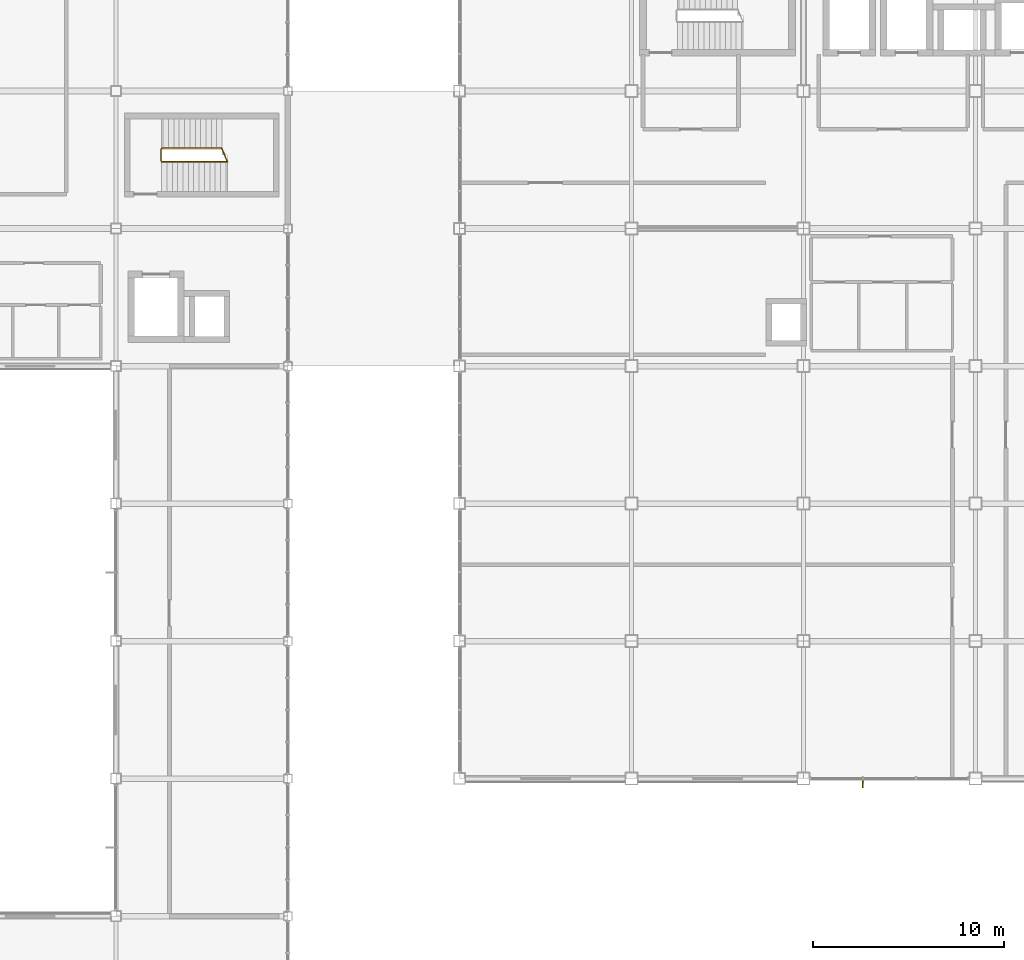
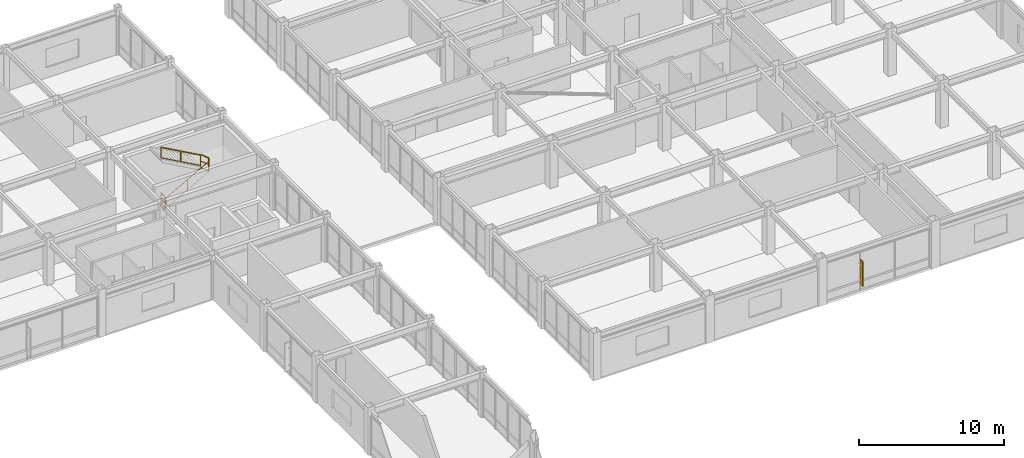
# One storey, part 112 of 113: 4 railings, 1 shading device.
"""IFC4 building model written with IfcOpenShell, lengths in metres."""

from ifc_helpers import new_model, si_unit, direction, frame, origin, origin_2d, place, context, subcontext, project, spatial, rectangle, extrude, material, type_object, element, save


model = new_model("IFC4")

# Units and contexts
model_context = context("Model", 3, precision=1e-05, world=origin(), true_north=direction((0.0, 1.0)))
body_context = subcontext(model_context, "Body", "Model", "MODEL_VIEW")
ifc_project = project(units=[si_unit("LENGTHUNIT", "METRE"), si_unit("AREAUNIT", "SQUARE_METRE"), si_unit("VOLUMEUNIT", "CUBIC_METRE"), si_unit("PLANEANGLEUNIT", "RADIAN"), si_unit("MASSUNIT", "GRAM", prefix="KILO")], contexts=[model_context])

# Site, building, storey
site_placement = place(None, origin())
site = spatial("IfcSite", under=ifc_project, at=site_placement, CompositionType="ELEMENT")
building_placement = place(site_placement, origin())
building = spatial("IfcBuilding", under=site, at=building_placement, Name="Kazanami Central Library", CompositionType="ELEMENT")
storey_placement = place(building_placement, frame((0.0, 0.0, 8.800048828125)))
storey = spatial("IfcBuildingStorey", under=building, at=storey_placement, Name="L03", CompositionType="ELEMENT", Elevation=8.800048828125)

# Railings
ifc_material_1 = material(Name="Stainless Steel SUS304", Category="steel")
railing_type_1 = type_object("IfcRailingType", Name="RAL-GR-S1", PredefinedType="GUARDRAIL", material=ifc_material_1)
railing_1_placement = place(storey_placement, frame((101.360107421875, 75.570068359375, 0.0)))
element("IfcRailing", 1, at=railing_1_placement, inside=storey, type_object=railing_type_1, Name="Stair Well Guard ST-04 L03", PredefinedType="GUARDRAIL", context=body_context, shape_type="SweptSolid", body=[
    extrude(rectangle(XDim=0.0439453125, YDim=0.0439453125, at=origin_2d()), frame((0.0, 0.02587890625, 1.1279296875), z_axis=(0.0, 1.0, 0.0), x_axis=(-1.0, 0.0, 0.0)), (0.0, 0.0, 1.0), 0.5078125),
    extrude(rectangle(XDim=0.02392578125, YDim=0.02392578125, at=origin_2d()), frame((0.0, 0.02587890625, 0.015869140625), z_axis=(0.0, 1.0, 0.0), x_axis=(-1.0, 0.0, 0.0)), (0.0, 0.0, 1.0), 0.5078125),
    extrude(rectangle(XDim=0.02392578125, YDim=0.02392578125, at=origin_2d()), frame((0.0, 0.02587890625, 0.574951171875), z_axis=(0.0, 1.0, 0.0), x_axis=(-1.0, 0.0, 0.0)), (0.0, 0.0, 1.0), 0.5078125),
    extrude(rectangle(XDim=0.035888671875, YDim=0.035888671875, at=origin_2d()), origin(), (0.0, 0.0, 1.0), 1.10205078125),
    extrude(rectangle(XDim=0.035888671875, YDim=0.035888671875, at=origin_2d()), frame((0.0, 0.559814453125, 0.0)), (0.0, 0.0, 1.0), 1.10205078125),
])
railing_2_placement = place(storey_placement, frame((104.827880859375, 75.52001953125, 2.079833984375)))
element("IfcRailing", 2, at=railing_2_placement, inside=storey, type_object=railing_type_1, Name="Half-Landing Well Guard ST-04 L03", PredefinedType="GUARDRAIL", context=body_context, shape_type="SweptSolid", body=[
    extrude(rectangle(XDim=0.0439453125, YDim=0.0439453125, at=origin_2d()), frame((-0.01025390625, 0.02392578125, 1.1279296875), z_axis=(-0.390339903858, 0.920670820357, 0.0), x_axis=(-0.920670820357, -0.390339903858, 0.0)), (0.0, 0.0, 1.0), 0.664794921875),
    extrude(rectangle(XDim=0.02392578125, YDim=0.02392578125, at=origin_2d()), frame((-0.01025390625, 0.02392578125, 0.015869140625), z_axis=(-0.390339903858, 0.920670820357, 0.0), x_axis=(-0.920670820357, -0.390339903858, 0.0)), (0.0, 0.0, 1.0), 0.664794921875),
    extrude(rectangle(XDim=0.02392578125, YDim=0.02392578125, at=origin_2d()), frame((-0.01025390625, 0.02392578125, 0.574951171875), z_axis=(-0.390339903858, 0.920670820357, 0.0), x_axis=(-0.920670820357, -0.390339903858, 0.0)), (0.0, 0.0, 1.0), 0.664794921875),
    extrude(rectangle(XDim=0.035888671875, YDim=0.035888671875, at=origin_2d()), origin(), (0.0, 0.0, 1.0), 1.10205078125),
    extrude(rectangle(XDim=0.035888671875, YDim=0.035888671875, at=origin_2d()), frame((-0.27978515625, 0.659912109375, 0.0)), (0.0, 0.0, 1.0), 1.10205078125),
])
railing_type_2 = type_object("IfcRailingType", Name="RAL-HR-01", PredefinedType="HANDRAIL", material=ifc_material_1)
railing_3_placement = place(storey_placement, frame((101.39404296875, 75.5, 0.159912109375)))
element("IfcRailing", 3, at=railing_3_placement, inside=storey, type_object=railing_type_2, Name="Stair Handrail ST-04 Flight 1 (L03)", PredefinedType="HANDRAIL", context=body_context, shape_type="SweptSolid", body=[
    extrude(rectangle(XDim=0.0439453125, YDim=0.0439453125, at=origin_2d()), frame((0.022705078125, 0.0, 0.890625), z_axis=(0.872833868075, 0.0, 0.488017457415), x_axis=(0.0, 1.0, 0.0)), (0.0, 0.0, 1.0), 3.882080078125),
    extrude(rectangle(XDim=0.02392578125, YDim=0.02392578125, at=origin_2d()), frame((0.022705078125, 0.0, 0.028564453125), z_axis=(0.872833868075, 0.0, 0.488017457415), x_axis=(0.0, 1.0, 0.0)), (0.0, 0.0, 1.0), 3.882080078125),
    extrude(rectangle(XDim=0.035888671875, YDim=0.035888671875, at=origin_2d()), origin(), (0.0, 0.0, 1.0), 0.85205078125),
    extrude(rectangle(XDim=0.035888671875, YDim=0.035888671875, at=origin_2d()), frame((1.716796875, 0.0, 0.9599609375)), (0.0, 0.0, 1.0), 0.85205078125),
    extrude(rectangle(XDim=0.035888671875, YDim=0.035888671875, at=origin_2d()), frame((3.433837890625, 0.0, 1.919921875)), (0.0, 0.0, 1.0), 0.85205078125),
])
railing_type_3 = type_object("IfcRailingType", Name="RAL-HR-02", PredefinedType="HANDRAIL", material=ifc_material_1)
railing_4_placement = place(storey_placement, frame((104.553955078125, 76.199951171875, 2.239990234375)))
element("IfcRailing", 4, at=railing_4_placement, inside=storey, type_object=railing_type_3, Name="Stair Handrail ST-04 Flight 2 (L03)", PredefinedType="HANDRAIL", context=body_context, shape_type="SweptSolid", body=[
    extrude(rectangle(XDim=0.0439453125, YDim=0.0439453125, at=origin_2d()), frame((-0.022705078125, 0.0, 0.91064453125), z_axis=(-0.873243856975, 0.0, 0.487283455758), x_axis=(0.0, -1.0, 0.0)), (0.0, 0.0, 1.0), 3.559814453125),
    extrude(rectangle(XDim=0.02392578125, YDim=0.02392578125, at=origin_2d()), frame((-0.022705078125, 0.0, 0.028564453125), z_axis=(-0.873243856975, 0.0, 0.487283455758), x_axis=(0.0, -1.0, 0.0)), (0.0, 0.0, 1.0), 3.559814453125),
    extrude(rectangle(XDim=0.035888671875, YDim=0.035888671875, at=origin_2d()), origin(), (0.0, 0.0, 1.0), 0.8720703125),
    extrude(rectangle(XDim=0.035888671875, YDim=0.035888671875, at=origin_2d()), frame((-1.5771484375, 0.0, 0.8798828125)), (0.0, 0.0, 1.0), 0.8720703125),
    extrude(rectangle(XDim=0.035888671875, YDim=0.035888671875, at=origin_2d()), frame((-3.154052734375, 0.0, 1.760009765625)), (0.0, 0.0, 1.0), 0.8720703125),
])

# Shading device
ifc_material_2 = material(Name="Anodised Bronze-Grey Aluminium A6063-T5", Category="aluminium")
shading_device_type = type_object("IfcShadingDeviceType", Name="SHD-FIN-1", PredefinedType="USERDEFINED", material=ifc_material_2)
shading_device_placement = place(storey_placement, frame((138.1083984375, 42.89990234375, 0.597412109375), z_axis=(0.0, 0.0, 1.0), x_axis=(1.0, 0.0, 0.0)))
element("IfcShadingDevice", 5, at=shading_device_placement, inside=storey, type_object=shading_device_type, Name="Vertical Solar Fin SF-01 L03 S-G-15.1", ObjectType="SOLAR FIN", PredefinedType="USERDEFINED", context=body_context, shape_type="SweptSolid", body=[
    extrude(rectangle(XDim=0.06005859375, YDim=0.360107421875, at=origin_2d()), origin(), (0.0, 0.0, 1.0), 2.10009765625),
])

save(model, "model.ifc")
